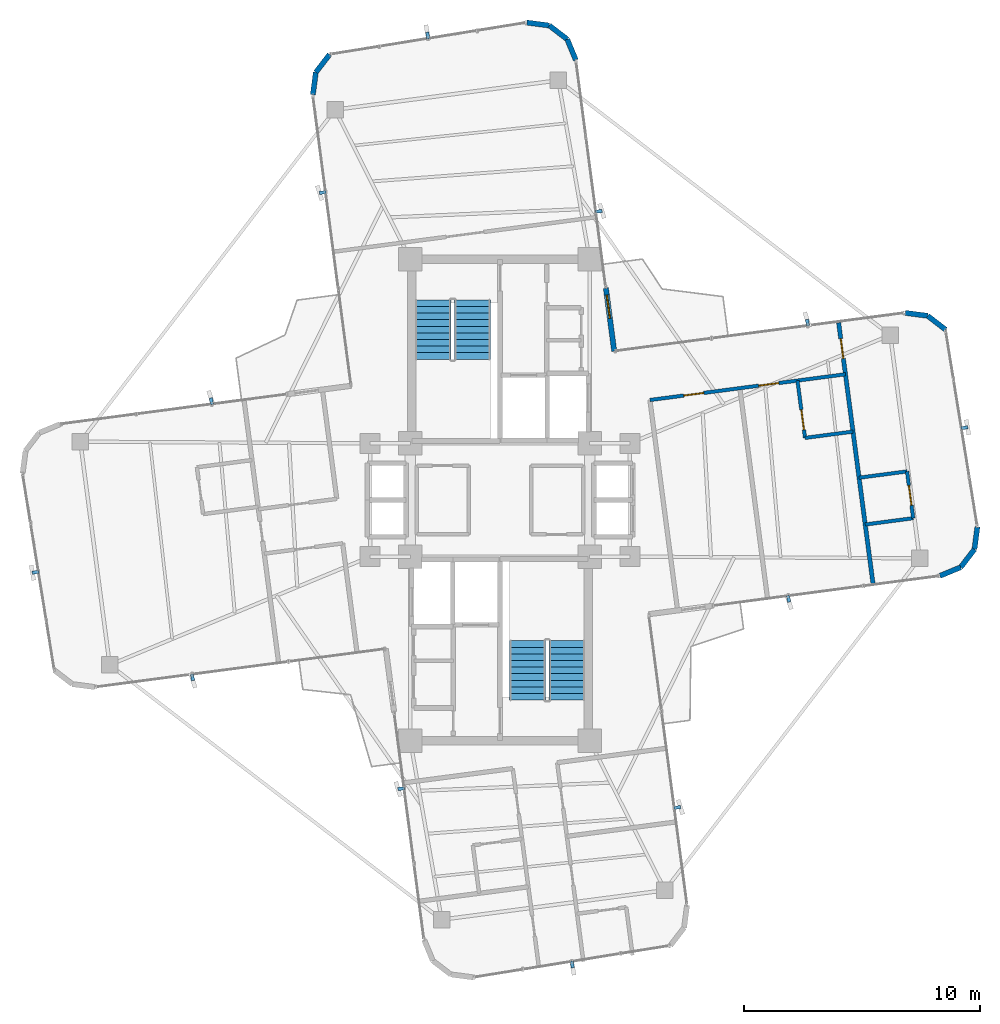
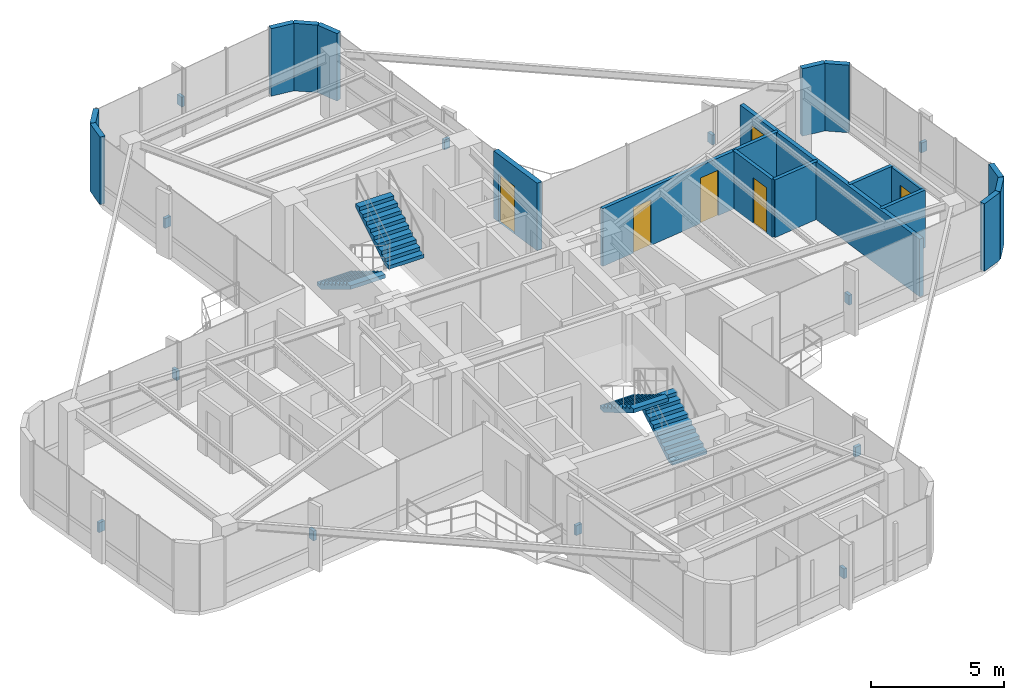
# One storey, part 21 of 22: 18 walls, 12 discrete accessories, 6 doors, 4 stair flights, 6 openings, 2 elements without a shape of their own.
"""IFC4 building model written with IfcOpenShell, lengths in metres."""

from ifc_helpers import new_model, si_unit, direction, frame, frame_2d, origin, origin_2d, place, context, subcontext, project, spatial, polyline, rectangle, outline, extrude, source, transform, mapped, material, layer, layer_set, type_object, element, fill, aggregate, save


model = new_model("IFC4")

# Units and contexts
model_context = context("Model", 3, precision=1e-05, world=origin(), true_north=direction((0.0, 1.0)))
body_context = subcontext(model_context, "Body", "Model", "MODEL_VIEW")
ifc_project = project(units=[si_unit("LENGTHUNIT", "METRE"), si_unit("AREAUNIT", "SQUARE_METRE"), si_unit("VOLUMEUNIT", "CUBIC_METRE"), si_unit("PLANEANGLEUNIT", "RADIAN"), si_unit("MASSUNIT", "GRAM", prefix="KILO")], contexts=[model_context])

# Site, building, storey
site_placement = place(None, origin())
site = spatial("IfcSite", under=ifc_project, at=site_placement, CompositionType="ELEMENT")
building_placement = place(site_placement, origin())
building = spatial("IfcBuilding", under=site, at=building_placement, Name="Sahyath Konkavel Grand Hotel", CompositionType="ELEMENT")
storey_placement = place(building_placement, frame((0.0, 0.0, 241.14990234375)))
storey = spatial("IfcBuildingStorey", under=building, at=storey_placement, Name="L67", CompositionType="ELEMENT", Elevation=241.14990234375)

# Walls
ifc_material_1 = material(Name="Warm Buff Sandstone Insulated Concrete C40/50", Category="masonry")
ifc_layer_1 = layer(ifc_material_1, 0.219970703125)
ifc_layer_set_1 = layer_set([ifc_layer_1], Name="Warm Buff Sandstone Insulated Concrete C40/50")
wall_type_1 = type_object("IfcWallType", Name="WLL-BALC-THRESH", PredefinedType="STANDARD", material=ifc_layer_set_1)
for number, where, z_axis, x_axis, name in (
    (1, (18.63623046875, -3.216064453125, 0.0), (0.0, 0.0, 1.0), (0.923889442397, 0.382659506909, 0.0), "L67 Rounded Corner Sandstone Pier 1"),
    (2, (19.52099609375, -2.849609375, 0.0), (0.0, 0.0, 1.0), (0.608774010809, 0.793343685778, 0.0), "L67 Rounded Corner Sandstone Pier 2"),
    (3, (20.10400390625, -2.08984375, 0.0), (0.0, 0.0, 1.0), (0.130527053476, 0.991444747987, 0.0), "L67 Rounded Corner Sandstone Pier 3"),
):
    element("IfcWall", number, at=place(storey_placement, frame(where, z_axis=z_axis, x_axis=x_axis)), inside=storey, type_object=wall_type_1, Name=name, PredefinedType="STANDARD", context=body_context, shape_type="SweptSolid", body=[
        extrude(rectangle(XDim=0.957763671875, YDim=0.219970703125, at=frame_2d((0.47900390625, 0.0))), origin(), (0.0, 0.0, 1.0), 3.110107421875),
    ])
wall_1_placement = place(storey_placement, frame((18.8779296875, 7.221923828125, 0.0), z_axis=(0.0, 0.0, 1.0), x_axis=(-0.793372339443, 0.608736668033, 0.0)))
element("IfcWall", 4, at=wall_1_placement, inside=storey, type_object=wall_type_1, Name="L67 Rounded Corner Sandstone Pier 5", PredefinedType="STANDARD", context=body_context, shape_type="SweptSolid", body=[
    extrude(rectangle(XDim=0.957275390625, YDim=0.219970703125, at=frame_2d((0.478515625, 0.0))), origin(), (0.0, 0.0, 1.0), 3.110107421875),
])
wall_2_placement = place(storey_placement, frame((18.118408203125, 7.8046875, 0.0), z_axis=(0.0, 0.0, 1.0), x_axis=(-0.991449089759, 0.130494070426, 0.0)))
element("IfcWall", 5, at=wall_2_placement, inside=storey, type_object=wall_type_1, Name="L67 Rounded Corner Sandstone Pier 6", PredefinedType="STANDARD", context=body_context, shape_type="SweptSolid", body=[
    extrude(rectangle(XDim=0.9580078125, YDim=0.219970703125, at=frame_2d((0.47900390625, 0.0))), origin(), (0.0, 0.0, 1.0), 3.110107421875),
])

# Wall, opening, door
wall_3_placement = place(storey_placement, frame((4.839111328125, 6.306640625, 0.0), z_axis=(0.0, 0.0, 1.0), x_axis=(-0.130487261016, 0.991449985986, 0.0)))
wall_3 = element("IfcWall", 6, at=wall_3_placement, inside=storey, type_object=wall_type_1, Name="L67 Winter-Garden Threshold Wall 8", PredefinedType="STANDARD", context=body_context, shape_type="SweptSolid", body=[
    extrude(rectangle(XDim=2.699951171875, YDim=0.219970703125, at=frame_2d((1.35009765625, 0.0))), origin(), (0.0, 0.0, 1.0), 3.110107421875),
])
opening_1_placement = place(wall_3_placement, frame((1.39990234375, 0.0, 0.0)))
opening_1 = element("IfcOpeningElement", 7, at=opening_1_placement, cuts=wall_3, Name="Opening D-TR1", PredefinedType="OPENING", context=body_context, shape_type="SweptSolid", body=[
    extrude(rectangle(XDim=1.0, YDim=2.199951171875, at=frame_2d((0.5, 1.10009765625))), frame((0.0, 0.1201171875, 0.0), z_axis=(0.0, -1.0, 0.0), x_axis=(1.0, 0.0, 0.0)), (0.0, 0.0, 1.0), 0.239990234375),
])
ifc_material_2 = material(Name="Anodised Bronze Aluminium & Low-E Glazing", Category="aluminium")
door_type_1 = type_object("IfcDoorType", Name="DR-TERRACE-1000", OperationType="NOTDEFINED", PredefinedType="DOOR", material=ifc_material_2)
shared_shape_1 = source(origin(), body_context, "Body", "SweptSolid", [
    extrude(rectangle(XDim=1.0, YDim=0.050048828125, at=origin_2d()), origin(), (0.0, 0.0, 1.0), 2.199951171875),
])
door_1_placement = place(opening_1_placement, frame((0.5, 0.0, 0.0)))
door_1 = element("IfcDoor", 8, at=door_1_placement, inside=storey, type_object=door_type_1, Name="L67 Winter-Garden Terrace Door 8", OperationType="SINGLE_SWING_LEFT", OverallHeight=2.199951171875, OverallWidth=1.0, PredefinedType="DOOR", context=body_context, shape_type="MappedRepresentation", body=[
    mapped(shared_shape_1, transform((0.0, 0.0, 0.0), scale=1.0)),
])
fill(opening_1, door_1)

# Walls
for number, where, z_axis, x_axis, name in (
    (9, (3.216064453125, 18.63623046875, 0.0), (0.0, 0.0, 1.0), (-0.382659506909, 0.923889442397, 0.0), "L67 Rounded Corner Sandstone Pier 9"),
    (10, (2.849609375, 19.52099609375, 0.0), (0.0, 0.0, 1.0), (-0.793343685778, 0.608774010809, 0.0), "L67 Rounded Corner Sandstone Pier 10"),
    (11, (2.08984375, 20.10400390625, 0.0), (0.0, 0.0, 1.0), (-0.991444747987, 0.130527053476, 0.0), "L67 Rounded Corner Sandstone Pier 11"),
):
    element("IfcWall", number, at=place(storey_placement, frame(where, z_axis=z_axis, x_axis=x_axis)), inside=storey, type_object=wall_type_1, Name=name, PredefinedType="STANDARD", context=body_context, shape_type="SweptSolid", body=[
        extrude(rectangle(XDim=0.957763671875, YDim=0.219970703125, at=frame_2d((0.47900390625, 0.0))), origin(), (0.0, 0.0, 1.0), 3.110107421875),
    ])
wall_4_placement = place(storey_placement, frame((-7.221923828125, 18.8779296875, 0.0), z_axis=(0.0, 0.0, 1.0), x_axis=(-0.608736668033, -0.793372339443, 0.0)))
element("IfcWall", 12, at=wall_4_placement, inside=storey, type_object=wall_type_1, Name="L67 Rounded Corner Sandstone Pier 13", PredefinedType="STANDARD", context=body_context, shape_type="SweptSolid", body=[
    extrude(rectangle(XDim=0.957275390625, YDim=0.219970703125, at=frame_2d((0.478515625, 0.0))), origin(), (0.0, 0.0, 1.0), 3.110107421875),
])
wall_5_placement = place(storey_placement, frame((-7.8046875, 18.118408203125, 0.0), z_axis=(0.0, 0.0, 1.0), x_axis=(-0.130494070426, -0.991449089759, 0.0)))
element("IfcWall", 13, at=wall_5_placement, inside=storey, type_object=wall_type_1, Name="L67 Rounded Corner Sandstone Pier 14", PredefinedType="STANDARD", context=body_context, shape_type="SweptSolid", body=[
    extrude(rectangle(XDim=0.9580078125, YDim=0.219970703125, at=frame_2d((0.47900390625, 0.0))), origin(), (0.0, 0.0, 1.0), 3.110107421875),
])

# Wall, opening, door
ifc_material_3 = material(Name="Twin-Stud Acoustic Gypsum Plasterboard Partition")
ifc_layer_2 = layer(ifc_material_3, 0.179931640625)
ifc_layer_set_2 = layer_set([ifc_layer_2], Name="Twin-Stud Acoustic Gypsum Plasterboard Partition")
wall_type_2 = type_object("IfcWallType", Name="WLL-DEMISE-180", PredefinedType="PARTITIONING", material=ifc_layer_set_2)
wall_6_placement = place(storey_placement, frame((15.80419921875, -3.538330078125, 0.0), z_axis=(0.0, 0.0, 1.0), x_axis=(-0.130550303224, 0.991441686802, 0.0)))
wall_6 = element("IfcWall", 14, at=wall_6_placement, inside=storey, type_object=wall_type_2, Name="L67 Partition E-ETIP-END", PredefinedType="PARTITIONING", context=body_context, shape_type="SweptSolid", body=[
    extrude(rectangle(XDim=11.14208984375, YDim=0.179931640625, at=frame_2d((5.571044921875, 0.0))), origin(), (0.0, 0.0, 1.0), 2.66015625),
])
opening_2_placement = place(wall_6_placement, frame((9.616943359375, 0.0, 0.0)))
opening_2 = element("IfcOpeningElement", 15, at=opening_2_placement, cuts=wall_6, Name="Opening D-F06D", PredefinedType="OPENING", context=body_context, shape_type="SweptSolid", body=[
    extrude(rectangle(XDim=0.85009765625, YDim=2.10009765625, at=frame_2d((0.425048828125, 1.050048828125))), frame((0.0, 0.10009765625, 0.0), z_axis=(0.0, -1.0, 0.0), x_axis=(1.0, 0.0, 0.0)), (0.0, 0.0, 1.0), 0.199951171875),
])
ifc_material_4 = material(Name="Fire-Rated Shaft Access Door")
door_type_2 = type_object("IfcDoorType", Name="DR-FD60-850", OperationType="NOTDEFINED", PredefinedType="DOOR", material=ifc_material_4)
shared_shape_2 = source(origin(), body_context, "Body", "SweptSolid", [
    extrude(rectangle(XDim=0.85009765625, YDim=0.050048828125, at=origin_2d()), origin(), (0.0, 0.0, 1.0), 2.10009765625),
])
door_2_placement = place(opening_2_placement, frame((0.425048828125, 0.0, 0.0)))
door_2 = element("IfcDoor", 16, at=door_2_placement, inside=storey, type_object=door_type_2, Name="L67 Door E-ETIP-ED", OperationType="SINGLE_SWING_LEFT", OverallHeight=2.10009765625, OverallWidth=0.85009765625, PredefinedType="DOOR", context=body_context, shape_type="MappedRepresentation", body=[
    mapped(shared_shape_2, transform((0.0, 0.0, 0.0), scale=1.0)),
])
fill(opening_2, door_2)

# Wall, openings, doors
ifc_material_5 = material(Name="Fire-Rated Gypsum Plasterboard Partition")
ifc_layer_3 = layer(ifc_material_5, 0.14990234375)
ifc_layer_set_3 = layer_set([ifc_layer_3], Name="Fire-Rated Gypsum Plasterboard Partition")
wall_type_3 = type_object("IfcWallType", Name="WLL-PART-150", PredefinedType="PARTITIONING", material=ifc_layer_set_3)
wall_7_placement = place(storey_placement, frame((6.351318359375, 4.236328125, 0.0), z_axis=(0.0, 0.0, 1.0), x_axis=(0.991444946295, 0.130525547176, 0.0)))
wall_7 = element("IfcWall", 17, at=wall_7_placement, inside=storey, type_object=wall_type_3, Name="L67 Partition E-G5W", PredefinedType="PARTITIONING", context=body_context, shape_type="SweptSolid", body=[
    extrude(rectangle(XDim=8.357177734375, YDim=0.14990234375, at=frame_2d((4.1787109375, 0.0))), origin(), (0.0, 0.0, 1.0), 2.66015625),
])
opening_3_placement = place(wall_7_placement, frame((1.447021484375, 0.0, 0.0)))
opening_3 = element("IfcOpeningElement", 18, at=opening_3_placement, cuts=wall_7, Name="Opening D-F06D", PredefinedType="OPENING", context=body_context, shape_type="SweptSolid", body=[
    extrude(rectangle(XDim=0.85009765625, YDim=2.10009765625, at=frame_2d((0.425048828125, 1.050048828125))), frame((0.0, 0.0849609375, 0.0), z_axis=(0.0, -1.0, 0.0), x_axis=(1.0, 0.0, 0.0)), (0.0, 0.0, 1.0), 0.169921875),
])
opening_4_placement = place(wall_7_placement, frame((4.65087890625, 0.0, 0.0)))
opening_4 = element("IfcOpeningElement", 19, at=opening_4_placement, cuts=wall_7, Name="Opening D-F06D", PredefinedType="OPENING", context=body_context, shape_type="SweptSolid", body=[
    extrude(rectangle(XDim=0.85009765625, YDim=2.10009765625, at=frame_2d((0.425048828125, 1.050048828125))), frame((0.0, 0.0849609375, 0.0), z_axis=(0.0, -1.0, 0.0), x_axis=(1.0, 0.0, 0.0)), (0.0, 0.0, 1.0), 0.169921875),
])
door_3_placement = place(opening_3_placement, frame((0.425048828125, 0.0, 0.0)))
door_3 = element("IfcDoor", 20, at=door_3_placement, inside=storey, type_object=door_type_2, Name="L67 Door E-ED1-D", OperationType="SINGLE_SWING_LEFT", OverallHeight=2.10009765625, OverallWidth=0.85009765625, PredefinedType="DOOR", context=body_context, shape_type="MappedRepresentation", body=[
    mapped(shared_shape_2, transform((0.0, 0.0, 0.0), scale=1.0)),
])
fill(opening_3, door_3)
door_4_placement = place(opening_4_placement, frame((0.425048828125, 0.0, 0.0)))
door_4 = element("IfcDoor", 21, at=door_4_placement, inside=storey, type_object=door_type_2, Name="L67 Door E-ED2-ED", OperationType="SINGLE_SWING_LEFT", OverallHeight=2.10009765625, OverallWidth=0.85009765625, PredefinedType="DOOR", context=body_context, shape_type="MappedRepresentation", body=[
    mapped(shared_shape_2, transform((0.0, 0.0, 0.0), scale=1.0)),
])
fill(opening_4, door_4)

# Wall, opening, door
wall_8_placement = place(storey_placement, frame((12.6044921875, 5.0595703125, 0.0), z_axis=(0.0, 0.0, 1.0), x_axis=(0.130544735166, -0.991442419972, 0.0)))
wall_8 = element("IfcWall", 22, at=wall_8_placement, inside=storey, type_object=wall_type_3, Name="L67 Partition E-ED2-BS", PredefinedType="PARTITIONING", context=body_context, shape_type="SweptSolid", body=[
    extrude(rectangle(XDim=2.449951171875, YDim=0.14990234375, at=frame_2d((1.22509765625, 0.0))), origin(), (0.0, 0.0, 1.0), 2.66015625),
])
opening_5_placement = place(wall_8_placement, frame((1.25, 0.0, 0.0)))
opening_5 = element("IfcOpeningElement", 23, at=opening_5_placement, cuts=wall_8, Name="Opening D-BT85", PredefinedType="OPENING", context=body_context, shape_type="SweptSolid", body=[
    extrude(rectangle(XDim=0.85009765625, YDim=2.10009765625, at=frame_2d((0.425048828125, 1.050048828125))), frame((0.0, 0.0849609375, 0.0), z_axis=(0.0, -1.0, 0.0), x_axis=(1.0, 0.0, 0.0)), (0.0, 0.0, 1.0), 0.169921875),
])
ifc_material_6 = material(Name="Moisture-Resistant Teak Bathroom Door")
door_type_3 = type_object("IfcDoorType", Name="DR-BATH-850", OperationType="NOTDEFINED", PredefinedType="DOOR", material=ifc_material_6)
door_5_placement = place(opening_5_placement, frame((0.425048828125, 0.0, 0.0)))
door_5 = element("IfcDoor", 24, at=door_5_placement, inside=storey, type_object=door_type_3, Name="L67 Door E-ED2-BD", OperationType="SINGLE_SWING_RIGHT", OverallHeight=2.10009765625, OverallWidth=0.85009765625, PredefinedType="DOOR", context=body_context, shape_type="MappedRepresentation", body=[
    mapped(shared_shape_2, transform((0.0, 0.0, 0.0), scale=1.0)),
])
fill(opening_5, door_5)

# Walls
wall_9_placement = place(storey_placement, frame((12.92431640625, 2.630615234375, 0.0), z_axis=(0.0, 0.0, 1.0), x_axis=(0.991460374844, 0.130408301556, 0.0)))
element("IfcWall", 25, at=wall_9_placement, inside=storey, type_object=wall_type_3, Name="L67 Partition E-ED2-BF", PredefinedType="PARTITIONING", context=body_context, shape_type="SweptSolid", body=[
    extrude(rectangle(XDim=2.050048828125, YDim=0.14990234375, at=frame_2d((1.02490234375, 0.0))), origin(), (0.0, 0.0, 1.0), 2.66015625),
])
wall_10_placement = place(storey_placement, frame((15.214111328125, 0.94384765625, 0.0), z_axis=(0.0, 0.0, 1.0), x_axis=(0.991442940586, 0.130540781221, 0.0)))
element("IfcWall", 26, at=wall_10_placement, inside=storey, type_object=wall_type_3, Name="L67 Partition E-ETIP-BN", PredefinedType="PARTITIONING", context=body_context, shape_type="SweptSolid", body=[
    extrude(rectangle(XDim=2.0498046875, YDim=0.14990234375, at=frame_2d((1.02490234375, 0.0))), origin(), (0.0, 0.0, 1.0), 2.66015625),
])
wall_11_placement = place(storey_placement, frame((15.47509765625, -1.0390625, 0.0), z_axis=(0.0, 0.0, 1.0), x_axis=(0.991444969909, 0.13052536781, 0.0)))
element("IfcWall", 27, at=wall_11_placement, inside=storey, type_object=wall_type_3, Name="L67 Partition E-ETIP-BS", PredefinedType="PARTITIONING", context=body_context, shape_type="SweptSolid", body=[
    extrude(rectangle(XDim=2.050048828125, YDim=0.14990234375, at=frame_2d((1.02490234375, 0.0))), origin(), (0.0, 0.0, 1.0), 2.66015625),
])

# Wall, opening, door
wall_12_placement = place(storey_placement, frame((17.507568359375, -0.771484375, 0.0), z_axis=(0.0, 0.0, 1.0), x_axis=(-0.130612392842, 0.991433509034, 0.0)))
wall_12 = element("IfcWall", 28, at=wall_12_placement, inside=storey, type_object=wall_type_3, Name="L67 Partition E-ETIP-BE", PredefinedType="PARTITIONING", context=body_context, shape_type="SweptSolid", body=[
    extrude(rectangle(XDim=2.0, YDim=0.14990234375, at=frame_2d((1.0, 0.0))), origin(), (0.0, 0.0, 1.0), 2.630126953125),
])
opening_6_placement = place(wall_12_placement, frame((0.550048828125, 0.0, 0.0)))
opening_6 = element("IfcOpeningElement", 29, at=opening_6_placement, cuts=wall_12, Name="Opening D-BT85", PredefinedType="OPENING", context=body_context, shape_type="SweptSolid", body=[
    extrude(rectangle(XDim=0.85009765625, YDim=2.10009765625, at=frame_2d((0.425048828125, 1.050048828125))), frame((0.0, 0.0849609375, 0.0), z_axis=(0.0, -1.0, 0.0), x_axis=(1.0, 0.0, 0.0)), (0.0, 0.0, 1.0), 0.169921875),
])
door_6_placement = place(opening_6_placement, frame((0.425048828125, 0.0, 0.0)))
door_6 = element("IfcDoor", 30, at=door_6_placement, inside=storey, type_object=door_type_3, Name="L67 Door E-ETIP-BD", OperationType="SINGLE_SWING_RIGHT", OverallHeight=2.10009765625, OverallWidth=0.85009765625, PredefinedType="DOOR", context=body_context, shape_type="MappedRepresentation", body=[
    mapped(shared_shape_2, transform((0.0, 0.0, 0.0), scale=1.0)),
])
fill(opening_6, door_6)

# Stair, stair flights
ifc_material_7 = material(Name="Concrete C40/50", Category="concrete")
stair_type = type_object("IfcStairType", Name="STR-ST16-335", PredefinedType="HALF_TURN_STAIR", material=ifc_material_7)
stair_1_placement = place(storey_placement, origin())
stair_1 = element("IfcStair", 31, at=stair_1_placement, inside=storey, type_object=stair_type, Name="L67 North Core Smokeproof Exit Stair ST-1", PredefinedType="HALF_TURN_STAIR")
stair_flight_type = type_object("IfcStairFlightType", Name="STF-ST16-335", PredefinedType="STRAIGHT", material=ifc_material_7)
stair_flight_1_placement = place(storey_placement, frame((-2.840087890625, 8.47998046875, 0.0), z_axis=(0.0, 0.0, 1.0), x_axis=(0.0, -1.0, 0.0)))
stair_flight_1 = element("IfcStairFlight", 32, at=stair_flight_1_placement, type_object=stair_flight_type, Name="ST-1 flight 1", NumberOfRisers=10, NumberOfTreads=9, PredefinedType="STRAIGHT", RiserHeight=0.1675, TreadLength=0.28, context=body_context, shape_type="SweptSolid", body=[
    extrude(outline(polyline([(0.0, 0.0), (0.0, 0.16748046875), (0.280029296875, 0.16748046875), (0.280029296875, 0.3349609375), (0.56005859375, 0.3349609375), (0.56005859375, 0.50244140625), (0.840087890625, 0.50244140625), (0.840087890625, 0.669921875), (1.1201171875, 0.669921875), (1.1201171875, 0.83740234375), (1.39990234375, 0.83740234375), (1.39990234375, 1.0048828125), (1.679931640625, 1.0048828125), (1.679931640625, 1.172607421875), (1.9599609375, 1.172607421875), (1.9599609375, 1.340087890625), (2.239990234375, 1.340087890625), (2.239990234375, 1.507568359375), (2.52001953125, 1.507568359375), (2.52001953125, 1.675048828125), (2.52001953125, 1.332763671875), (0.2919921875, 0.0), (0.0, 0.0)])), frame((0.0, 0.760009765625, 0.0), z_axis=(0.0, -1.0, 0.0), x_axis=(1.0, 0.0, 0.0)), (0.0, 0.0, 1.0), 1.52001953125),
])
stair_flight_2_placement = place(storey_placement, frame((-1.159912109375, 5.9599609375, 1.675048828125), z_axis=(0.0, 0.0, 1.0), x_axis=(0.0, 1.0, 0.0)))
stair_flight_2 = element("IfcStairFlight", 33, at=stair_flight_2_placement, type_object=stair_flight_type, Name="ST-1 flight 2", NumberOfRisers=10, NumberOfTreads=9, PredefinedType="STRAIGHT", RiserHeight=0.1675, TreadLength=0.28, context=body_context, shape_type="SweptSolid", body=[
    extrude(outline(polyline([(0.0, 0.0), (0.0, 0.16748046875), (0.280029296875, 0.16748046875), (0.280029296875, 0.3349609375), (0.56005859375, 0.3349609375), (0.56005859375, 0.50244140625), (0.840087890625, 0.50244140625), (0.840087890625, 0.669921875), (1.1201171875, 0.669921875), (1.1201171875, 0.83740234375), (1.39990234375, 0.83740234375), (1.39990234375, 1.0048828125), (1.679931640625, 1.0048828125), (1.679931640625, 1.172607421875), (1.9599609375, 1.172607421875), (1.9599609375, 1.340087890625), (2.239990234375, 1.340087890625), (2.239990234375, 1.507568359375), (2.52001953125, 1.507568359375), (2.52001953125, 1.675048828125), (2.52001953125, 1.332763671875), (0.2919921875, 0.0), (0.0, 0.0)])), frame((0.0, 0.760009765625, 0.0), z_axis=(0.0, -1.0, 0.0), x_axis=(1.0, 0.0, 0.0)), (0.0, 0.0, 1.0), 1.52001953125),
])
aggregate(stair_1, [stair_flight_1, stair_flight_2])

stair_2_placement = place(storey_placement, origin())
stair_2 = element("IfcStair", 34, at=stair_2_placement, inside=storey, type_object=stair_type, Name="L67 South Core Smokeproof Exit Stair ST-2", PredefinedType="HALF_TURN_STAIR")
stair_flight_3_placement = place(storey_placement, frame((2.840087890625, -8.47998046875, 0.0), z_axis=(0.0, 0.0, 1.0), x_axis=(0.0, 1.0, 0.0)))
stair_flight_3 = element("IfcStairFlight", 35, at=stair_flight_3_placement, type_object=stair_flight_type, Name="ST-2 flight 1", NumberOfRisers=10, NumberOfTreads=9, PredefinedType="STRAIGHT", RiserHeight=0.1675, TreadLength=0.28, context=body_context, shape_type="SweptSolid", body=[
    extrude(outline(polyline([(0.0, 0.0), (0.0, 0.16748046875), (0.280029296875, 0.16748046875), (0.280029296875, 0.3349609375), (0.56005859375, 0.3349609375), (0.56005859375, 0.50244140625), (0.840087890625, 0.50244140625), (0.840087890625, 0.669921875), (1.1201171875, 0.669921875), (1.1201171875, 0.83740234375), (1.39990234375, 0.83740234375), (1.39990234375, 1.0048828125), (1.679931640625, 1.0048828125), (1.679931640625, 1.172607421875), (1.9599609375, 1.172607421875), (1.9599609375, 1.340087890625), (2.239990234375, 1.340087890625), (2.239990234375, 1.507568359375), (2.52001953125, 1.507568359375), (2.52001953125, 1.675048828125), (2.52001953125, 1.332763671875), (0.2919921875, 0.0), (0.0, 0.0)])), frame((0.0, 0.760009765625, 0.0), z_axis=(0.0, -1.0, 0.0), x_axis=(1.0, 0.0, 0.0)), (0.0, 0.0, 1.0), 1.52001953125),
])
stair_flight_4_placement = place(storey_placement, frame((1.159912109375, -5.9599609375, 1.675048828125), z_axis=(0.0, 0.0, 1.0), x_axis=(0.0, -1.0, 0.0)))
stair_flight_4 = element("IfcStairFlight", 36, at=stair_flight_4_placement, type_object=stair_flight_type, Name="ST-2 flight 2", NumberOfRisers=10, NumberOfTreads=9, PredefinedType="STRAIGHT", RiserHeight=0.1675, TreadLength=0.28, context=body_context, shape_type="SweptSolid", body=[
    extrude(outline(polyline([(0.0, 0.0), (0.0, 0.16748046875), (0.280029296875, 0.16748046875), (0.280029296875, 0.3349609375), (0.56005859375, 0.3349609375), (0.56005859375, 0.50244140625), (0.840087890625, 0.50244140625), (0.840087890625, 0.669921875), (1.1201171875, 0.669921875), (1.1201171875, 0.83740234375), (1.39990234375, 0.83740234375), (1.39990234375, 1.0048828125), (1.679931640625, 1.0048828125), (1.679931640625, 1.172607421875), (1.9599609375, 1.172607421875), (1.9599609375, 1.340087890625), (2.239990234375, 1.340087890625), (2.239990234375, 1.507568359375), (2.52001953125, 1.507568359375), (2.52001953125, 1.675048828125), (2.52001953125, 1.332763671875), (0.2919921875, 0.0), (0.0, 0.0)])), frame((0.0, 0.760009765625, 0.0), z_axis=(0.0, -1.0, 0.0), x_axis=(1.0, 0.0, 0.0)), (0.0, 0.0, 1.0), 1.52001953125),
])
aggregate(stair_2, [stair_flight_3, stair_flight_4])

# Discrete accessories
ifc_material_8 = material(Name="Steel E350", Category="steel")
discrete_accessory_type = type_object("IfcDiscreteAccessoryType", Name="ACC-FIN-BRACKET", PredefinedType="BRACKET", material=ifc_material_8)
shared_shape_3 = source(origin(), body_context, "Body", "SweptSolid", [
    extrude(rectangle(XDim=0.280029296875, YDim=0.139892578125, at=origin_2d()), origin(), (0.0, 0.0, 1.0), 0.449951171875),
])
for number, where, z_axis, x_axis, name in (
    (37, (12.231201171875, -4.1904296875, 1.330078125), (0.0, 0.0, 1.0), (0.13052619222, -0.991444861374, 0.0), "L67 Fin Support Bracket F0-1"),
    (38, (19.681640625, 3.061279296875, 1.330078125), (0.0, 0.0, 1.0), (0.987200365959, 0.159484912927, 0.0), "L67 Fin Support Bracket F4-2"),
    (39, (13.02880859375, 7.515869140625, 1.330078125), (0.0, 0.0, 1.0), (-0.13052619222, 0.991444861374, 0.0), "L67 Fin Support Bracket F7-1"),
    (40, (4.1904296875, 12.231201171875, 1.330078125), (0.0, 0.0, 1.0), (0.991444861374, 0.13052619222, 0.0), "L67 Fin Support Bracket F8-1"),
    (41, (-3.061279296875, 19.681640625, 1.330078125), (0.0, 0.0, 1.0), (-0.159484912927, 0.987200365959, 0.0), "L67 Fin Support Bracket F12-2"),
    (42, (-7.515869140625, 13.02880859375, 1.330078125), (0.0, 0.0, 1.0), (-0.991444861374, -0.13052619222, 0.0), "L67 Fin Support Bracket F15-1"),
    (43, (-12.231201171875, 4.1904296875, 1.330078125), (0.0, 0.0, 1.0), (-0.13052619222, 0.991444861374, 0.0), "L67 Fin Support Bracket F16-1"),
    (44, (-19.681640625, -3.061279296875, 1.330078125), (0.0, 0.0, 1.0), (-0.987200365959, -0.159484912927, 0.0), "L67 Fin Support Bracket F20-2"),
    (45, (-13.02880859375, -7.515869140625, 1.330078125), (0.0, 0.0, 1.0), (0.13052619222, -0.991444861374, 0.0), "L67 Fin Support Bracket F23-1"),
    (46, (-4.1904296875, -12.231201171875, 1.330078125), (0.0, 0.0, 1.0), (-0.991444861374, -0.13052619222, 0.0), "L67 Fin Support Bracket F24-1"),
    (47, (3.061279296875, -19.681640625, 1.330078125), (0.0, 0.0, 1.0), (0.159484912927, -0.987200365959, 0.0), "L67 Fin Support Bracket F28-2"),
    (48, (7.515869140625, -13.02880859375, 1.330078125), (0.0, 0.0, 1.0), (0.991444861374, 0.13052619222, 0.0), "L67 Fin Support Bracket F31-1"),
):
    element("IfcDiscreteAccessory", number, at=place(storey_placement, frame(where, z_axis=z_axis, x_axis=x_axis)), inside=storey, type_object=discrete_accessory_type, Name=name, PredefinedType="BRACKET", context=body_context, shape_type="MappedRepresentation", body=[
        mapped(shared_shape_3, transform((0.0, 0.0, 0.0), scale=1.0)),
    ])

save(model, "model.ifc")
